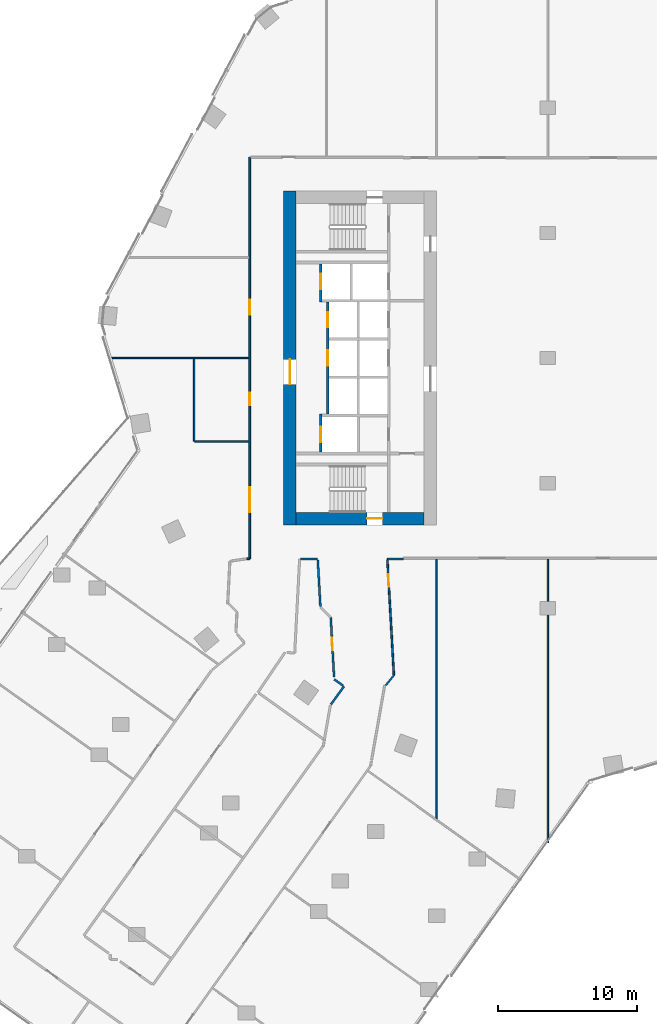
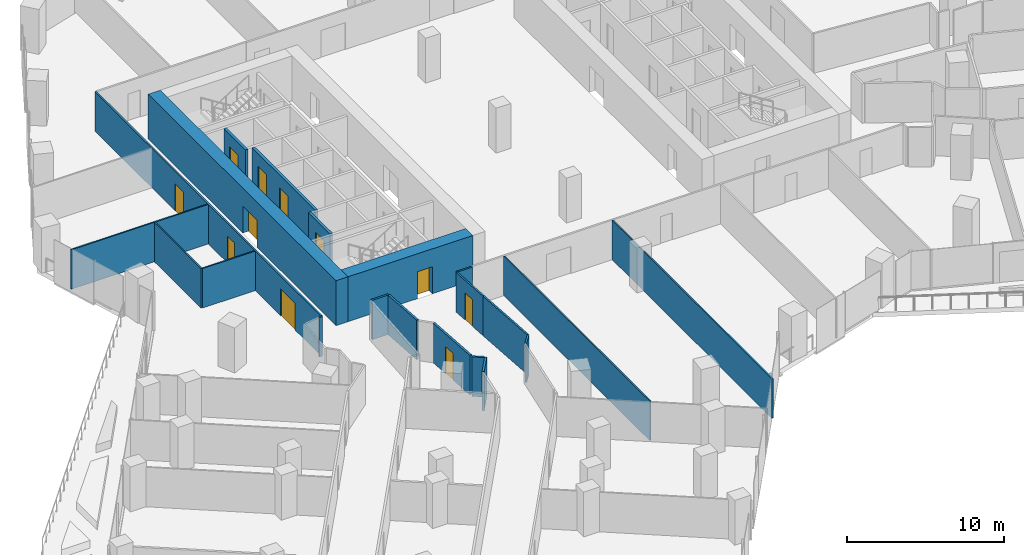
# One storey, part 22 of 30: 21 walls, 11 doors, 11 openings.
"""IFC4 building model written with IfcOpenShell, lengths in metres."""

from ifc_helpers import new_model, si_unit, direction, frame, frame_2d, origin, place, context, subcontext, project, spatial, rectangle, extrude, material, layer, layer_set, type_object, element, fill, save


model = new_model("IFC4")

# Units and contexts
model_context = context("Model", 3, precision=1e-05, world=origin(), true_north=direction((0.0, 1.0)))
body_context = subcontext(model_context, "Body", "Model", "MODEL_VIEW")
ifc_project = project(units=[si_unit("LENGTHUNIT", "METRE"), si_unit("AREAUNIT", "SQUARE_METRE"), si_unit("VOLUMEUNIT", "CUBIC_METRE"), si_unit("PLANEANGLEUNIT", "RADIAN"), si_unit("MASSUNIT", "GRAM", prefix="KILO")], contexts=[model_context])

# Site, building, storey
site_placement = place(None, origin())
site = spatial("IfcSite", under=ifc_project, at=site_placement, CompositionType="ELEMENT")
building_placement = place(site_placement, origin())
building = spatial("IfcBuilding", under=site, at=building_placement, Name="Orlundy Tower", CompositionType="ELEMENT")
storey_placement = place(building_placement, frame((0.0, 0.0, 80.699951171875)))
storey = spatial("IfcBuildingStorey", under=building, at=storey_placement, Name="L19", CompositionType="ELEMENT", Elevation=80.699951171875)

# Wall, opening, door
ifc_material_1 = material(Name="Concrete C80/95", Category="concrete")
ifc_layer_1 = layer(ifc_material_1, 0.89990234375)
ifc_layer_set_1 = layer_set([ifc_layer_1], Name="CORE WALL 900 C80/95")
wall_type_1 = type_object("IfcWallType", Name="CORE WALL 900 C80/95", PredefinedType="SHEAR", material=ifc_layer_set_1)
wall_1_placement = place(storey_placement, frame((-18.10009765625, -11.550048828125, 0.0), z_axis=(0.0, 0.0, 1.0), x_axis=(1.0, 0.0, 0.0)))
wall_1 = element("IfcWall", 1, at=wall_1_placement, inside=storey, type_object=wall_type_1, Name="Core wall W-S L19", PredefinedType="SHEAR", context=body_context, shape_type="SweptSolid", body=[
    extrude(rectangle(XDim=9.2001953125, YDim=0.89990234375, at=frame_2d((4.60009765625, 0.0))), origin(), (0.0, 0.0, 1.0), 3.5),
])
opening_1_placement = place(wall_1_placement, frame((5.10009765625, 0.0, 0.0)))
opening_1 = element("IfcOpeningElement", 2, at=opening_1_placement, cuts=wall_1, Name="Opening 16013", PredefinedType="OPENING", context=body_context, shape_type="SweptSolid", body=[
    extrude(rectangle(XDim=1.10009765625, YDim=2.10009765625, at=frame_2d((0.550048828125, 1.050048828125))), frame((0.0, 0.4599609375, 0.0), z_axis=(0.0, -1.0, 0.0), x_axis=(1.0, 0.0, 0.0)), (0.0, 0.0, 1.0), 0.919921875),
])
ifc_material_2 = material(Name="Steel door set", Category="steel")
door_type_1 = type_object("IfcDoorType", Name="Stair Door 1100x2100", OperationType="SINGLE_SWING_LEFT", PredefinedType="DOOR", material=ifc_material_2)
door_1_placement = place(opening_1_placement, origin())
door_1 = element("IfcDoor", 3, at=door_1_placement, inside=storey, type_object=door_type_1, Name="Stair door 16013", OperationType="SINGLE_SWING_RIGHT", OverallHeight=2.10009765625, OverallWidth=1.10009765625, PredefinedType="DOOR", context=body_context, shape_type="SweptSolid", body=[
    extrude(rectangle(XDim=1.10009765625, YDim=2.10009765625, at=frame_2d((0.550048828125, 1.050048828125))), frame((0.0, 0.02490234375, 0.0), z_axis=(0.0, -1.0, 0.0), x_axis=(1.0, 0.0, 0.0)), (0.0, 0.0, 1.0), 0.050048828125),
])
fill(opening_1, door_1)

wall_2_placement = place(storey_placement, frame((-18.550048828125, -12.0, 0.0), z_axis=(0.0, 0.0, 1.0), x_axis=(0.0, 1.0, 0.0)))
wall_2 = element("IfcWall", 4, at=wall_2_placement, inside=storey, type_object=wall_type_1, Name="Core wall W-W L19", PredefinedType="SHEAR", context=body_context, shape_type="SweptSolid", body=[
    extrude(rectangle(XDim=24.0, YDim=0.89990234375, at=frame_2d((12.0, 0.0))), origin(), (0.0, 0.0, 1.0), 3.5),
])
opening_2_placement = place(wall_2_placement, frame((10.10009765625, 0.0, 0.0)))
opening_2 = element("IfcOpeningElement", 5, at=opening_2_placement, cuts=wall_2, Name="Opening 16010", PredefinedType="OPENING", context=body_context, shape_type="SweptSolid", body=[
    extrude(rectangle(XDim=1.800048828125, YDim=2.10009765625, at=frame_2d((0.89990234375, 1.050048828125))), frame((0.0, 0.4599609375, 0.0), z_axis=(0.0, -1.0, 0.0), x_axis=(1.0, 0.0, 0.0)), (0.0, 0.0, 1.0), 0.919921875),
])
ifc_material_3 = material(Name="Timber door set", Category="wood")
door_type_2 = type_object("IfcDoorType", Name="Lobby Door 1800x2100", OperationType="DOUBLE_DOOR_DOUBLE_SWING", PredefinedType="DOOR", material=ifc_material_3)
door_2_placement = place(opening_2_placement, origin())
door_2 = element("IfcDoor", 6, at=door_2_placement, inside=storey, type_object=door_type_2, Name="Lift lobby door 16010", OperationType="SINGLE_SWING_LEFT", OverallHeight=2.10009765625, OverallWidth=1.800048828125, PredefinedType="DOOR", context=body_context, shape_type="SweptSolid", body=[
    extrude(rectangle(XDim=1.800048828125, YDim=2.10009765625, at=frame_2d((0.89990234375, 1.050048828125))), frame((0.0, 0.02490234375, 0.0), z_axis=(0.0, -1.0, 0.0), x_axis=(1.0, 0.0, 0.0)), (0.0, 0.0, 1.0), 0.050048828125),
])
fill(opening_2, door_2)

# Walls
ifc_material_4 = material(Name="Gypsum board partition")
ifc_layer_2 = layer(ifc_material_4, 0.10009765625)
ifc_layer_set_2 = layer_set([ifc_layer_2], Name="Floor partition 100")
wall_type_2 = type_object("IfcWallType", Name="Floor partition 100", PredefinedType="PARTITIONING", material=ifc_layer_set_2)
wall_3_placement = place(storey_placement, frame((-25.39794921875, -5.993896484375, 0.0), z_axis=(0.0, 0.0, 1.0), x_axis=(1.0, 0.0, 0.0)))
element("IfcWall", 7, at=wall_3_placement, inside=storey, type_object=wall_type_2, Name="wall-int-L19-044", PredefinedType="PARTITIONING", context=body_context, shape_type="SweptSolid", body=[
    extrude(rectangle(XDim=3.885986328125, YDim=0.10009765625, at=frame_2d((1.94287109375, 0.0))), origin(), (0.0, 0.0, 1.0), 3.080078125),
])
wall_4_placement = place(storey_placement, frame((-31.633056640625, 0.0048828125, 0.0), z_axis=(0.0, 0.0, 1.0), x_axis=(1.0, 0.0, 0.0)))
element("IfcWall", 8, at=wall_4_placement, inside=storey, type_object=wall_type_2, Name="wall-int-L19-046", PredefinedType="PARTITIONING", context=body_context, shape_type="SweptSolid", body=[
    extrude(rectangle(XDim=10.12109375, YDim=0.10009765625, at=frame_2d((5.060546875, 0.0))), origin(), (0.0, 0.0, 1.0), 3.080078125),
])
wall_5_placement = place(storey_placement, frame((0.0, -34.87109375, 0.0), z_axis=(0.0, 0.0, 1.0), x_axis=(0.0, 1.0, 0.0)))
element("IfcWall", 9, at=wall_5_placement, inside=storey, type_object=wall_type_2, Name="wall-int-L19-098", PredefinedType="PARTITIONING", context=body_context, shape_type="SweptSolid", body=[
    extrude(rectangle(XDim=20.408203125, YDim=0.10009765625, at=frame_2d((10.2041015625, 0.0))), origin(), (0.0, 0.0, 1.0), 3.080078125),
])
wall_6_placement = place(storey_placement, frame((-8.0, -33.1259765625, 0.0), z_axis=(0.0, 0.0, 1.0), x_axis=(0.0, 1.0, 0.0)))
element("IfcWall", 10, at=wall_6_placement, inside=storey, type_object=wall_type_2, Name="wall-int-L19-100", PredefinedType="PARTITIONING", context=body_context, shape_type="SweptSolid", body=[
    extrude(rectangle(XDim=18.6630859375, YDim=0.10009765625, at=frame_2d((9.33154296875, 0.0))), origin(), (0.0, 0.0, 1.0), 3.080078125),
])
wall_7_placement = place(storey_placement, frame((-25.447998046875, -5.993896484375, 0.0), z_axis=(0.0, 0.0, 1.0), x_axis=(0.0, 1.0, 0.0)))
element("IfcWall", 11, at=wall_7_placement, inside=storey, type_object=wall_type_2, Name="wall-int-L19-104", PredefinedType="PARTITIONING", context=body_context, shape_type="SweptSolid", body=[
    extrude(rectangle(XDim=5.948974609375, YDim=0.10009765625, at=frame_2d((2.974609375, 0.0))), origin(), (0.0, 0.0, 1.0), 3.080078125),
])
ifc_material_5 = material(Name="Gypsum board partition, double layer")
ifc_layer_3 = layer(ifc_material_5, 0.125)
ifc_layer_set_3 = layer_set([ifc_layer_3], Name="Floor partition 125")
wall_type_3 = type_object("IfcWallType", Name="Floor partition 125", PredefinedType="PARTITIONING", material=ifc_layer_set_3)
wall_8_placement = place(storey_placement, frame((-11.366943359375, -17.653076171875, 0.0), z_axis=(0.0, 0.0, 1.0), x_axis=(0.05605539039, -0.998427660478, 0.0)))
element("IfcWall", 12, at=wall_8_placement, inside=storey, type_object=wall_type_3, Name="wall-int-L19-003", PredefinedType="PARTITIONING", context=body_context, shape_type="SweptSolid", body=[
    extrude(rectangle(XDim=5.174072265625, YDim=0.125, at=frame_2d((2.5869140625, 0.0))), origin(), (0.0, 0.0, 1.0), 3.080078125),
])

# Wall, opening, door
wall_9_placement = place(storey_placement, frame((-11.54296875, -14.512939453125, 0.0), z_axis=(0.0, 0.0, 1.0), x_axis=(0.055968733348, -0.99843252195, 0.0)))
wall_9 = element("IfcWall", 13, at=wall_9_placement, inside=storey, type_object=wall_type_3, Name="wall-int-L19-004", PredefinedType="PARTITIONING", context=body_context, shape_type="SweptSolid", body=[
    extrude(rectangle(XDim=3.14501953125, YDim=0.125, at=frame_2d((1.572509765625, 0.0))), origin(), (0.0, 0.0, 1.0), 3.080078125),
])
opening_3_placement = place(wall_9_placement, frame((1.03759765625, 0.0, 0.0)))
opening_3 = element("IfcOpeningElement", 14, at=opening_3_placement, cuts=wall_9, Name="Opening 16122", PredefinedType="OPENING", context=body_context, shape_type="SweptSolid", body=[
    extrude(rectangle(XDim=0.89990234375, YDim=2.10009765625, at=frame_2d((0.449951171875, 1.050048828125))), frame((0.0, 0.072509765625, 0.0), z_axis=(0.0, -1.0, 0.0), x_axis=(1.0, 0.0, 0.0)), (0.0, 0.0, 1.0), 0.14501953125),
])
ifc_material_6 = material(Name="Timber door leaf", Category="wood")
door_type_3 = type_object("IfcDoorType", Name="Floor door single 900 FD30S", OperationType="NOTDEFINED", PredefinedType="DOOR", material=ifc_material_6)
door_3_placement = place(opening_3_placement, origin())
door_3 = element("IfcDoor", 15, at=door_3_placement, inside=storey, type_object=door_type_3, Name="Door 16122", OperationType="SINGLE_SWING_LEFT", OverallHeight=2.10009765625, OverallWidth=0.89990234375, PredefinedType="DOOR", context=body_context, shape_type="SweptSolid", body=[
    extrude(rectangle(XDim=0.89990234375, YDim=2.10009765625, at=frame_2d((0.449951171875, 1.050048828125))), frame((0.0, 0.02490234375, 0.0), z_axis=(0.0, -1.0, 0.0), x_axis=(1.0, 0.0, 0.0)), (0.0, 0.0, 1.0), 0.050048828125),
])
fill(opening_3, door_3)

# Walls
wall_10_placement = place(storey_placement, frame((-21.662109375, -14.43896484375, 0.0), z_axis=(0.0, 0.0, 1.0), x_axis=(1.0, 0.0, 0.0)))
element("IfcWall", 16, at=wall_10_placement, inside=storey, type_object=wall_type_3, Name="wall-int-L19-039", PredefinedType="PARTITIONING", context=body_context, shape_type="SweptSolid", body=[
    extrude(rectangle(XDim=0.212158203125, YDim=0.125, at=frame_2d((0.10595703125, 0.0))), origin(), (0.0, 0.0, 1.0), 3.080078125),
])
wall_11_placement = place(storey_placement, frame((-11.5458984375, -14.450927734375, 0.0), z_axis=(0.0, 0.0, 1.0), x_axis=(1.0, 0.0, 0.0)))
element("IfcWall", 17, at=wall_11_placement, inside=storey, type_object=wall_type_3, Name="wall-int-L19-041", PredefinedType="PARTITIONING", context=body_context, shape_type="SweptSolid", body=[
    extrude(rectangle(XDim=1.15478515625, YDim=0.125, at=frame_2d((0.577392578125, 0.0))), origin(), (0.0, 0.0, 1.0), 3.080078125),
])
wall_12_placement = place(storey_placement, frame((-11.658935546875, -23.5380859375, 0.0), z_axis=(0.0, 0.0, 1.0), x_axis=(0.629190636354, 0.777251016805, 0.0)))
element("IfcWall", 18, at=wall_12_placement, inside=storey, type_object=wall_type_3, Name="wall-int-L19-052", PredefinedType="PARTITIONING", context=body_context, shape_type="SweptSolid", body=[
    extrude(rectangle(XDim=0.925048828125, YDim=0.125, at=frame_2d((0.46240234375, 0.0))), origin(), (0.0, 0.0, 1.0), 3.080078125),
])

# Wall, openings, doors
wall_13_placement = place(storey_placement, frame((-21.449951171875, -14.43896484375, 0.0), z_axis=(0.0, 0.0, 1.0), x_axis=(0.0, 1.0, 0.0)))
wall_13 = element("IfcWall", 19, at=wall_13_placement, inside=storey, type_object=wall_type_3, Name="wall-int-L19-103", PredefinedType="PARTITIONING", context=body_context, shape_type="SweptSolid", body=[
    extrude(rectangle(XDim=28.889892578125, YDim=0.125, at=frame_2d((14.44482421875, 0.0))), origin(), (0.0, 0.0, 1.0), 3.080078125),
])
opening_4_placement = place(wall_13_placement, frame((3.35009765625, 0.0, 0.0)))
opening_4 = element("IfcOpeningElement", 20, at=opening_4_placement, cuts=wall_13, Name="Opening 16121", PredefinedType="OPENING", context=body_context, shape_type="SweptSolid", body=[
    extrude(rectangle(XDim=1.800048828125, YDim=2.10009765625, at=frame_2d((0.89990234375, 1.050048828125))), frame((0.0, 0.072509765625, 0.0), z_axis=(0.0, -1.0, 0.0), x_axis=(1.0, 0.0, 0.0)), (0.0, 0.0, 1.0), 0.14501953125),
])
opening_5_placement = place(wall_13_placement, frame((17.5439453125, 0.0, 0.0)))
opening_5 = element("IfcOpeningElement", 21, at=opening_5_placement, cuts=wall_13, Name="Opening 16134", PredefinedType="OPENING", context=body_context, shape_type="SweptSolid", body=[
    extrude(rectangle(XDim=1.10009765625, YDim=2.10009765625, at=frame_2d((0.550048828125, 1.050048828125))), frame((0.0, 0.072509765625, 0.0), z_axis=(0.0, -1.0, 0.0), x_axis=(1.0, 0.0, 0.0)), (0.0, 0.0, 1.0), 0.14501953125),
])
opening_6_placement = place(wall_13_placement, frame((11.044921875, 0.0, 0.0)))
opening_6 = element("IfcOpeningElement", 22, at=opening_6_placement, cuts=wall_13, Name="Opening 16135", PredefinedType="OPENING", context=body_context, shape_type="SweptSolid", body=[
    extrude(rectangle(XDim=0.89990234375, YDim=2.10009765625, at=frame_2d((0.449951171875, 1.050048828125))), frame((0.0, 0.072509765625, 0.0), z_axis=(0.0, -1.0, 0.0), x_axis=(1.0, 0.0, 0.0)), (0.0, 0.0, 1.0), 0.14501953125),
])
ifc_material_7 = material(Name="Timber door leaf", Category="wood")
door_type_4 = type_object("IfcDoorType", Name="Floor door double 1800 FD30S", OperationType="NOTDEFINED", PredefinedType="DOOR", material=ifc_material_7)
door_4_placement = place(opening_4_placement, origin())
door_4 = element("IfcDoor", 23, at=door_4_placement, inside=storey, type_object=door_type_4, Name="Door 16121", OperationType="DOUBLE_DOOR_SINGLE_SWING", OverallHeight=2.10009765625, OverallWidth=1.800048828125, PredefinedType="DOOR", context=body_context, shape_type="SweptSolid", body=[
    extrude(rectangle(XDim=1.800048828125, YDim=2.10009765625, at=frame_2d((0.89990234375, 1.050048828125))), frame((0.0, 0.02490234375, 0.0), z_axis=(0.0, -1.0, 0.0), x_axis=(1.0, 0.0, 0.0)), (0.0, 0.0, 1.0), 0.050048828125),
])
fill(opening_4, door_4)
door_5_placement = place(opening_6_placement, origin())
door_5 = element("IfcDoor", 24, at=door_5_placement, inside=storey, type_object=door_type_3, Name="Door 16135", OperationType="SINGLE_SWING_LEFT", OverallHeight=2.10009765625, OverallWidth=0.89990234375, PredefinedType="DOOR", context=body_context, shape_type="SweptSolid", body=[
    extrude(rectangle(XDim=0.89990234375, YDim=2.10009765625, at=frame_2d((0.449951171875, 1.050048828125))), frame((0.0, 0.02490234375, 0.0), z_axis=(0.0, -1.0, 0.0), x_axis=(1.0, 0.0, 0.0)), (0.0, 0.0, 1.0), 0.050048828125),
])
fill(opening_6, door_5)
ifc_material_8 = material(Name="Timber door leaf", Category="wood")
door_type_5 = type_object("IfcDoorType", Name="Floor door xwide 1100 FD30S", OperationType="NOTDEFINED", PredefinedType="DOOR", material=ifc_material_8)
door_6_placement = place(opening_5_placement, origin())
door_6 = element("IfcDoor", 25, at=door_6_placement, inside=storey, type_object=door_type_5, Name="Door 16134", OperationType="SINGLE_SWING_RIGHT", OverallHeight=2.10009765625, OverallWidth=1.10009765625, PredefinedType="DOOR", context=body_context, shape_type="SweptSolid", body=[
    extrude(rectangle(XDim=1.10009765625, YDim=2.10009765625, at=frame_2d((0.550048828125, 1.050048828125))), frame((0.0, 0.02490234375, 0.0), z_axis=(0.0, -1.0, 0.0), x_axis=(1.0, 0.0, 0.0)), (0.0, 0.0, 1.0), 0.050048828125),
])
fill(opening_5, door_6)

# Wall
ifc_material_9 = material(Name="Blockwork shaft wall", Category="masonry")
ifc_layer_4 = layer(ifc_material_9, 0.14990234375)
ifc_layer_set_4 = layer_set([ifc_layer_4], Name="Floor shaft wall 150")
wall_type_4 = type_object("IfcWallType", Name="Floor shaft wall 150", PredefinedType="PARTITIONING", material=ifc_layer_set_4)
wall_14_placement = place(storey_placement, frame((-16.551025390625, -14.52587890625, 0.0), z_axis=(0.0, 0.0, 1.0), x_axis=(0.056037248535, -0.998428678863, 0.0)))
element("IfcWall", 26, at=wall_14_placement, inside=storey, type_object=wall_type_4, Name="wall-int-L19-001", PredefinedType="PARTITIONING", context=body_context, shape_type="SweptSolid", body=[
    extrude(rectangle(XDim=3.337158203125, YDim=0.14990234375, at=frame_2d((1.66845703125, 0.0))), origin(), (0.0, 0.0, 1.0), 3.080078125),
])

# Wall, opening, door
wall_15_placement = place(storey_placement, frame((-15.3779296875, -22.948974609375, 0.0), z_axis=(0.0, 0.0, 1.0), x_axis=(-0.055958704695, 0.998433084072, 0.0)))
wall_15 = element("IfcWall", 27, at=wall_15_placement, inside=storey, type_object=wall_type_4, Name="wall-int-L19-002", PredefinedType="PARTITIONING", context=body_context, shape_type="SweptSolid", body=[
    extrude(rectangle(XDim=4.288818359375, YDim=0.14990234375, at=frame_2d((2.14453125, 0.0))), origin(), (0.0, 0.0, 1.0), 3.080078125),
])
opening_7_placement = place(wall_15_placement, frame((1.942626953125, 0.0, 0.0)))
opening_7 = element("IfcOpeningElement", 28, at=opening_7_placement, cuts=wall_15, Name="Opening 16120", PredefinedType="OPENING", context=body_context, shape_type="SweptSolid", body=[
    extrude(rectangle(XDim=0.89990234375, YDim=2.10009765625, at=frame_2d((0.449951171875, 1.050048828125))), frame((0.0, 0.0849609375, 0.0), z_axis=(0.0, -1.0, 0.0), x_axis=(1.0, 0.0, 0.0)), (0.0, 0.0, 1.0), 0.169921875),
])
ifc_material_10 = material(Name="Timber door leaf", Category="wood")
door_type_6 = type_object("IfcDoorType", Name="Floor door single 900 FD60", OperationType="NOTDEFINED", PredefinedType="DOOR", material=ifc_material_10)
door_7_placement = place(opening_7_placement, origin())
door_7 = element("IfcDoor", 29, at=door_7_placement, inside=storey, type_object=door_type_6, Name="Door 16120", OperationType="SINGLE_SWING_RIGHT", OverallHeight=2.10009765625, OverallWidth=0.89990234375, PredefinedType="DOOR", context=body_context, shape_type="SweptSolid", body=[
    extrude(rectangle(XDim=0.89990234375, YDim=2.10009765625, at=frame_2d((0.449951171875, 1.050048828125))), frame((0.0, 0.02490234375, 0.0), z_axis=(0.0, -1.0, 0.0), x_axis=(1.0, 0.0, 0.0)), (0.0, 0.0, 1.0), 0.050048828125),
])
fill(opening_7, door_7)

# Walls
wall_16_placement = place(storey_placement, frame((-15.368896484375, -23.10693359375, 0.0), z_axis=(0.0, 0.0, 1.0), x_axis=(0.810768536176, -0.585366877049, 0.0)))
element("IfcWall", 30, at=wall_16_placement, inside=storey, type_object=wall_type_4, Name="wall-int-L19-009", PredefinedType="PARTITIONING", context=body_context, shape_type="SweptSolid", body=[
    extrude(rectangle(XDim=0.79296875, YDim=0.14990234375, at=frame_2d((0.396484375, 0.0))), origin(), (0.0, 0.0, 1.0), 3.080078125),
])
wall_17_placement = place(storey_placement, frame((-17.781005859375, -14.450927734375, 0.0), z_axis=(0.0, 0.0, 1.0), x_axis=(1.0, 0.0, 0.0)))
element("IfcWall", 31, at=wall_17_placement, inside=storey, type_object=wall_type_4, Name="wall-int-L19-040", PredefinedType="PARTITIONING", context=body_context, shape_type="SweptSolid", body=[
    extrude(rectangle(XDim=1.22607421875, YDim=0.14990234375, at=frame_2d((0.613037109375, 0.0))), origin(), (0.0, 0.0, 1.0), 3.080078125),
])
wall_18_placement = place(storey_placement, frame((-15.60009765625, -24.907958984375, 0.0), z_axis=(0.0, 0.0, 1.0), x_axis=(0.586004379832, 0.810307883966, 0.0)))
element("IfcWall", 32, at=wall_18_placement, inside=storey, type_object=wall_type_4, Name="wall-int-L19-058", PredefinedType="PARTITIONING", context=body_context, shape_type="SweptSolid", body=[
    extrude(rectangle(XDim=1.595703125, YDim=0.14990234375, at=frame_2d((0.7978515625, 0.0))), origin(), (0.0, 0.0, 1.0), 3.080078125),
])

# Wall, opening, door
ifc_material_11 = material(Name="Fire-rated blockwork shaft wall", Category="masonry")
ifc_layer_5 = layer(ifc_material_11, 0.199951171875)
ifc_layer_set_5 = layer_set([ifc_layer_5], Name="Shaft Wall 200")
wall_type_5 = type_object("IfcWallType", Name="Shaft Wall 200", PredefinedType="SOLIDWALL", material=ifc_layer_set_5)
wall_19_placement = place(storey_placement, frame((-16.340087890625, -6.77490234375, 0.0), z_axis=(0.0, 0.0, 1.0), x_axis=(0.0, 1.0, 0.0)))
wall_19 = element("IfcWall", 33, at=wall_19_placement, inside=storey, type_object=wall_type_5, Name="Shaft wall W16-front-o-a", PredefinedType="SOLIDWALL", context=body_context, shape_type="SweptSolid", body=[
    extrude(rectangle(XDim=2.75, YDim=0.199951171875, at=frame_2d((1.375, 0.0))), origin(), (0.0, 0.0, 1.0), 3.090087890625),
])
opening_8_placement = place(wall_19_placement, frame((0.72509765625, 0.0, 0.0)))
opening_8 = element("IfcOpeningElement", 34, at=opening_8_placement, cuts=wall_19, Name="Opening 16001", PredefinedType="OPENING", context=body_context, shape_type="SweptSolid", body=[
    extrude(rectangle(XDim=1.10009765625, YDim=2.10009765625, at=frame_2d((0.550048828125, 1.050048828125))), frame((0.0, 0.110107421875, 0.0), z_axis=(0.0, -1.0, 0.0), x_axis=(1.0, 0.0, 0.0)), (0.0, 0.0, 1.0), 0.22021484375),
])
ifc_material_12 = material(Name="Steel door set", Category="steel")
door_type_7 = type_object("IfcDoorType", Name="Landing Door 1100x2100", OperationType="DOUBLE_DOOR_SLIDING", PredefinedType="DOOR", material=ifc_material_12)
door_8_placement = place(opening_8_placement, origin())
door_8 = element("IfcDoor", 35, at=door_8_placement, inside=storey, type_object=door_type_7, Name="Lift landing door LV-01 16001", OperationType="DOUBLE_DOOR_SLIDING", OverallHeight=2.10009765625, OverallWidth=1.10009765625, PredefinedType="DOOR", context=body_context, shape_type="SweptSolid", body=[
    extrude(rectangle(XDim=1.10009765625, YDim=2.10009765625, at=frame_2d((0.550048828125, 1.050048828125))), frame((0.0, 0.02490234375, 0.0), z_axis=(0.0, -1.0, 0.0), x_axis=(1.0, 0.0, 0.0)), (0.0, 0.0, 1.0), 0.050048828125),
])
fill(opening_8, door_8)

# Wall, openings, doors
wall_20_placement = place(storey_placement, frame((-15.840087890625, -4.02490234375, 0.0), z_axis=(0.0, 0.0, 1.0), x_axis=(0.0, 1.0, 0.0)))
wall_20 = element("IfcWall", 36, at=wall_20_placement, inside=storey, type_object=wall_type_5, Name="Shaft wall W16-front-o-b", PredefinedType="SOLIDWALL", context=body_context, shape_type="SweptSolid", body=[
    extrude(rectangle(XDim=8.0498046875, YDim=0.199951171875, at=frame_2d((4.02490234375, 0.0))), origin(), (0.0, 0.0, 1.0), 3.090087890625),
])
opening_9_placement = place(wall_20_placement, frame((3.47509765625, 0.0, 0.0)))
opening_9 = element("IfcOpeningElement", 37, at=opening_9_placement, cuts=wall_20, Name="Opening 16003", PredefinedType="OPENING", context=body_context, shape_type="SweptSolid", body=[
    extrude(rectangle(XDim=1.10009765625, YDim=2.10009765625, at=frame_2d((0.550048828125, 1.050048828125))), frame((0.0, 0.110107421875, 0.0), z_axis=(0.0, -1.0, 0.0), x_axis=(1.0, 0.0, 0.0)), (0.0, 0.0, 1.0), 0.22021484375),
])
opening_10_placement = place(wall_20_placement, frame((6.22509765625, 0.0, 0.0)))
opening_10 = element("IfcOpeningElement", 38, at=opening_10_placement, cuts=wall_20, Name="Opening 16005", PredefinedType="OPENING", context=body_context, shape_type="SweptSolid", body=[
    extrude(rectangle(XDim=1.10009765625, YDim=2.10009765625, at=frame_2d((0.550048828125, 1.050048828125))), frame((0.0, 0.110107421875, 0.0), z_axis=(0.0, -1.0, 0.0), x_axis=(1.0, 0.0, 0.0)), (0.0, 0.0, 1.0), 0.22021484375),
])
door_9_placement = place(opening_9_placement, origin())
door_9 = element("IfcDoor", 39, at=door_9_placement, inside=storey, type_object=door_type_7, Name="Lift landing door LP-01 16003", OperationType="DOUBLE_DOOR_SLIDING", OverallHeight=2.10009765625, OverallWidth=1.10009765625, PredefinedType="DOOR", context=body_context, shape_type="SweptSolid", body=[
    extrude(rectangle(XDim=1.10009765625, YDim=2.10009765625, at=frame_2d((0.550048828125, 1.050048828125))), frame((0.0, 0.02490234375, 0.0), z_axis=(0.0, -1.0, 0.0), x_axis=(1.0, 0.0, 0.0)), (0.0, 0.0, 1.0), 0.050048828125),
])
fill(opening_9, door_9)
door_10_placement = place(opening_10_placement, origin())
door_10 = element("IfcDoor", 40, at=door_10_placement, inside=storey, type_object=door_type_7, Name="Lift landing door LP-03 16005", OperationType="DOUBLE_DOOR_SLIDING", OverallHeight=2.10009765625, OverallWidth=1.10009765625, PredefinedType="DOOR", context=body_context, shape_type="SweptSolid", body=[
    extrude(rectangle(XDim=1.10009765625, YDim=2.10009765625, at=frame_2d((0.550048828125, 1.050048828125))), frame((0.0, 0.02490234375, 0.0), z_axis=(0.0, -1.0, 0.0), x_axis=(1.0, 0.0, 0.0)), (0.0, 0.0, 1.0), 0.050048828125),
])
fill(opening_10, door_10)

# Wall, opening, door
wall_21_placement = place(storey_placement, frame((-16.340087890625, 4.02490234375, 0.0), z_axis=(0.0, 0.0, 1.0), x_axis=(0.0, 1.0, 0.0)))
wall_21 = element("IfcWall", 41, at=wall_21_placement, inside=storey, type_object=wall_type_5, Name="Shaft wall W16-front-o-c", PredefinedType="SOLIDWALL", context=body_context, shape_type="SweptSolid", body=[
    extrude(rectangle(XDim=2.75, YDim=0.199951171875, at=frame_2d((1.375, 0.0))), origin(), (0.0, 0.0, 1.0), 3.090087890625),
])
opening_11_placement = place(wall_21_placement, frame((0.925048828125, 0.0, 0.0)))
opening_11 = element("IfcOpeningElement", 42, at=opening_11_placement, cuts=wall_21, Name="Opening 16007", PredefinedType="OPENING", context=body_context, shape_type="SweptSolid", body=[
    extrude(rectangle(XDim=1.10009765625, YDim=2.10009765625, at=frame_2d((0.550048828125, 1.050048828125))), frame((0.0, 0.110107421875, 0.0), z_axis=(0.0, -1.0, 0.0), x_axis=(1.0, 0.0, 0.0)), (0.0, 0.0, 1.0), 0.22021484375),
])
door_11_placement = place(opening_11_placement, origin())
door_11 = element("IfcDoor", 43, at=door_11_placement, inside=storey, type_object=door_type_7, Name="Lift landing door LP-04 16007", OperationType="DOUBLE_DOOR_SLIDING", OverallHeight=2.10009765625, OverallWidth=1.10009765625, PredefinedType="DOOR", context=body_context, shape_type="SweptSolid", body=[
    extrude(rectangle(XDim=1.10009765625, YDim=2.10009765625, at=frame_2d((0.550048828125, 1.050048828125))), frame((0.0, 0.02490234375, 0.0), z_axis=(0.0, -1.0, 0.0), x_axis=(1.0, 0.0, 0.0)), (0.0, 0.0, 1.0), 0.050048828125),
])
fill(opening_11, door_11)

save(model, "model.ifc")
